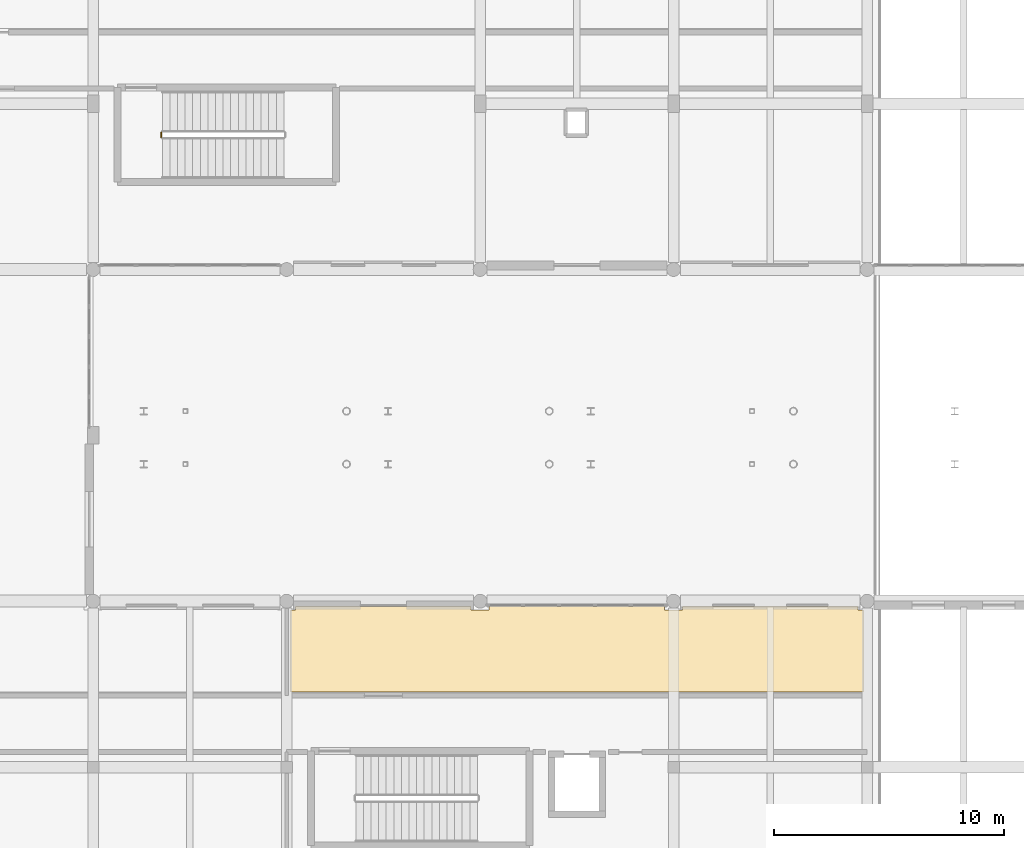
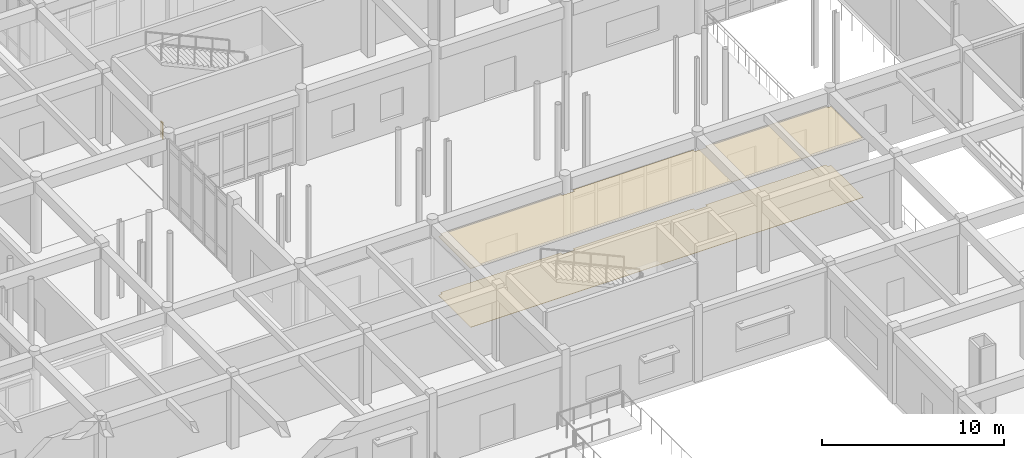
# One storey, part 105 of 121: 2 coverings, 1 railing.
"""IFC4 building model written with IfcOpenShell, lengths in metres."""

from ifc_helpers import new_model, si_unit, direction, frame, origin, origin_2d, place, context, subcontext, project, spatial, polyline, circle, outline, extrude, material, layer, layer_set, type_object, element, save


model = new_model("IFC4")

# Units and contexts
model_context = context("Model", 3, precision=1e-05, world=origin(), true_north=direction((0.0, 1.0)))
body_context = subcontext(model_context, "Body", "Model", "MODEL_VIEW")
ifc_project = project(units=[si_unit("LENGTHUNIT", "METRE"), si_unit("AREAUNIT", "SQUARE_METRE"), si_unit("VOLUMEUNIT", "CUBIC_METRE"), si_unit("PLANEANGLEUNIT", "RADIAN"), si_unit("MASSUNIT", "GRAM", prefix="KILO")], contexts=[model_context])

# Site, building, storey
site_placement = place(None, origin())
site = spatial("IfcSite", under=ifc_project, at=site_placement, CompositionType="ELEMENT")
building_placement = place(site_placement, origin())
building = spatial("IfcBuilding", under=site, at=building_placement, Name="Malvenik Polytechnic", CompositionType="ELEMENT")
storey_placement = place(building_placement, origin())
storey = spatial("IfcBuildingStorey", under=building, at=storey_placement, Name="L00", CompositionType="ELEMENT", Elevation=0.0)

# Coverings
ifc_material_1 = material(Name="Perforated mineral-fibre acoustic suspended ceiling 600x600", Category="gypsum")
ifc_layer_1 = layer(ifc_material_1, 0.02490234375)
ifc_layer_set_1 = layer_set([ifc_layer_1], Name="Perforated mineral-fibre acoustic suspended ceiling 600x600")
covering_type_1 = type_object("IfcCoveringType", Name="ARC-COV-CEIL-AC", PredefinedType="CEILING", material=ifc_layer_set_1)
covering_1_placement = place(storey_placement, frame((0.0, 0.0, 3.93505859375)))
element("IfcCovering", 1, at=covering_1_placement, inside=storey, type_object=covering_type_1, Name="Acoustic Ceiling L00 Technical Bookshop and Print Studio", PredefinedType="CEILING", context=body_context, shape_type="SweptSolid", body=[
    extrude(outline(polyline([(108.81005859375, 35.610107421875), (109.590087890625, 35.610107421875), (109.590087890625, 35.780029296875), (117.2099609375, 35.780029296875), (117.2099609375, 35.610107421875), (117.989990234375, 35.610107421875), (117.989990234375, 35.780029296875), (125.610107421875, 35.780029296875), (125.610107421875, 35.610107421875), (125.840087890625, 35.610107421875), (125.840087890625, 32.06005859375), (100.9599609375, 32.06005859375), (100.9599609375, 35.610107421875), (101.18994140625, 35.610107421875), (101.18994140625, 35.780029296875), (108.81005859375, 35.780029296875), (108.81005859375, 35.610107421875)])), origin(), (0.0, 0.0, 1.0), 0.02490234375),
])
ifc_material_2 = material(Name="Polished Danube aggregate terrazzo flooring 20mm", Category="stone")
ifc_layer_2 = layer(ifc_material_2, 0.02001953125)
ifc_layer_set_2 = layer_set([ifc_layer_2], Name="Polished Danube aggregate terrazzo flooring 20mm")
covering_type_2 = type_object("IfcCoveringType", Name="ARC-COV-FLR-TER", PredefinedType="FLOORING", material=ifc_layer_set_2)
covering_2_placement = place(storey_placement, origin())
element("IfcCovering", 2, at=covering_2_placement, inside=storey, type_object=covering_type_2, Name="Floor Finish FLR-01 L00 Technical Bookshop and Print Studio", PredefinedType="FLOORING", context=body_context, shape_type="SweptSolid", body=[
    extrude(outline(polyline([(108.81005859375, 35.610107421875), (109.590087890625, 35.610107421875), (109.590087890625, 35.780029296875), (117.2099609375, 35.780029296875), (117.2099609375, 35.610107421875), (117.989990234375, 35.610107421875), (117.989990234375, 35.780029296875), (125.610107421875, 35.780029296875), (125.610107421875, 35.610107421875), (125.840087890625, 35.610107421875), (125.840087890625, 32.06005859375), (100.9599609375, 32.06005859375), (100.9599609375, 35.610107421875), (101.18994140625, 35.610107421875), (101.18994140625, 35.780029296875), (108.81005859375, 35.780029296875), (108.81005859375, 35.610107421875)])), origin(), (0.0, 0.0, 1.0), 0.02001953125),
])

# Railing
ifc_material_3 = material(Name="Painted galvanised steel stair well balustrade 1100mm", Category="steel")
ifc_layer_3 = layer(ifc_material_3, 0.050048828125)
ifc_layer_set_3 = layer_set([ifc_layer_3], Name="Painted galvanised steel stair well balustrade 1100mm")
railing_type = type_object("IfcRailingType", Name="ARC-RL-STGD", PredefinedType="BALUSTRADE", material=ifc_layer_set_3)
railing_placement = place(storey_placement, frame((95.35009765625, 56.14990234375, 0.0)))
element("IfcRailing", 3, at=railing_placement, inside=storey, type_object=railing_type, Name="L00 ST-07 stair guard 4", PredefinedType="BALUSTRADE", context=body_context, shape_type="SweptSolid", body=[
    extrude(circle(Radius=0.02392578125, at=origin_2d()), frame((0.0, 0.0, 1.076171875), z_axis=(0.0, 1.0, 0.0), x_axis=(-1.0, 0.0, 0.0)), (0.0, 0.0, 1.0), 0.2001953125),
    extrude(circle(Radius=0.02099609375, at=origin_2d()), origin(), (0.0, 0.0, 1.0), 1.052001953125),
    extrude(circle(Radius=0.02099609375, at=origin_2d()), frame((0.0, 0.2001953125, 0.0)), (0.0, 0.0, 1.0), 1.052001953125),
])

save(model, "model.ifc")
